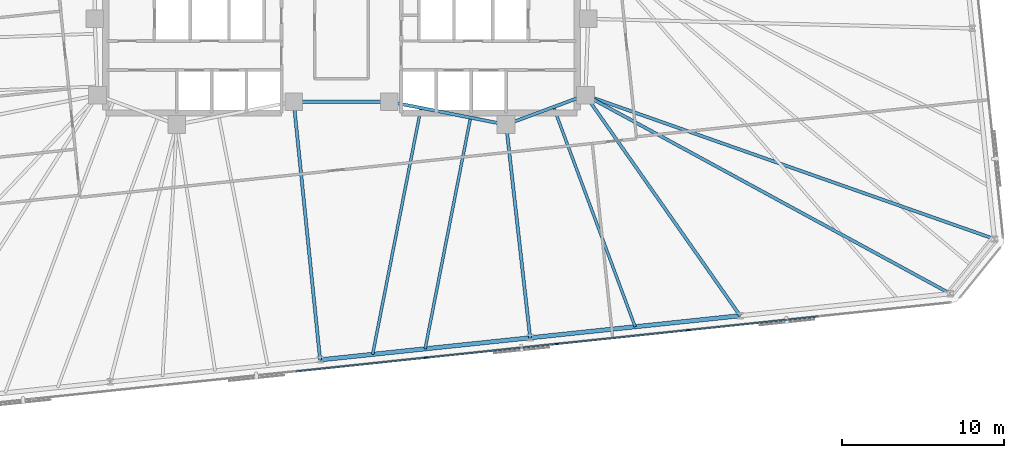
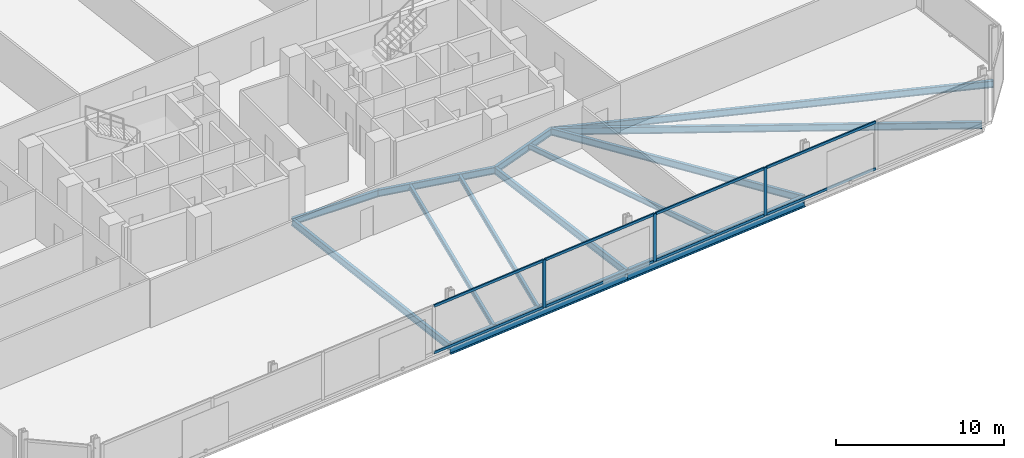
# One storey, part 7 of 18: 13 beams, 11 members, 1 element without a shape of its own.
"""IFC4 building model written with IfcOpenShell, lengths in metres."""

from ifc_helpers import new_model, si_unit, direction, frame, origin, origin_2d, place, context, subcontext, project, spatial, rectangle, i_section, extrude, material, material_profile, profile_set, type_object, element, aggregate, save


model = new_model("IFC4")

# Units and contexts
model_context = context("Model", 3, precision=1e-05, world=origin(), true_north=direction((0.0, 1.0)))
body_context = subcontext(model_context, "Body", "Model", "MODEL_VIEW")
ifc_project = project(units=[si_unit("LENGTHUNIT", "METRE"), si_unit("AREAUNIT", "SQUARE_METRE"), si_unit("VOLUMEUNIT", "CUBIC_METRE"), si_unit("PLANEANGLEUNIT", "RADIAN"), si_unit("MASSUNIT", "GRAM", prefix="KILO")], contexts=[model_context])

# Site, building, storey
site_placement = place(None, origin())
site = spatial("IfcSite", under=ifc_project, at=site_placement, CompositionType="ELEMENT")
building_placement = place(site_placement, origin())
building = spatial("IfcBuilding", under=site, at=building_placement, Name="Menara Jurai Vektor", CompositionType="ELEMENT")
storey_placement = place(building_placement, frame((0.0, 0.0, 128.10009765625)))
storey = spatial("IfcBuildingStorey", under=building, at=storey_placement, Name="L32", CompositionType="ELEMENT", Elevation=128.10009765625)

# Curtain wall, members
ifc_material_1 = material(Name="Anodised Pale Aluminium & Low-E Double Glazing", Category="aluminium")
curtain_wall_type = type_object("IfcCurtainWallType", Name="CW-BLK2", PredefinedType="NOTDEFINED", material=ifc_material_1)
curtain_wall_placement = place(storey_placement, origin())
curtain_wall = element("IfcCurtainWall", 1, at=curtain_wall_placement, inside=storey, type_object=curtain_wall_type, Name="Unitised Curtain Wall L32 F01", PredefinedType="NOTDEFINED")
ifc_material_2 = material(Name="Anodised Pale Aluminium Mullion", Category="aluminium")
ifc_material_profile_1 = material_profile(ifc_material_2, rectangle(XDim=0.090087890625, YDim=0.219970703125, at=origin_2d()), Name="ALU MUL 90x220")
ifc_profile_set_1 = profile_set([ifc_material_profile_1], Name="Anodised Pale Aluminium Mullion")
member_type_1 = type_object("IfcMemberType", Name="CW-BLK2-MUL", PredefinedType="MULLION", material=ifc_profile_set_1)
member_1_placement = place(storey_placement, frame((5.230224609375, -20.72265625, 0.0), z_axis=(0.0, 0.0, 1.0), x_axis=(-0.104528634935, 0.994521877325, 0.0)))
member_1 = element("IfcMember", 2, at=member_1_placement, type_object=member_type_1, Name="CW-02 mullion 5", PredefinedType="MULLION", context=body_context, shape_type="SweptSolid", body=[
    extrude(rectangle(XDim=0.090087890625, YDim=0.219970703125, at=origin_2d()), origin(), (0.0, 0.0, 1.0), 3.474853515625),
])
member_2_placement = place(storey_placement, frame((13.328125, -19.87158203125, 0.0), z_axis=(0.0, 0.0, 1.0), x_axis=(-0.104528634935, 0.994521877325, 0.0)))
member_2 = element("IfcMember", 3, at=member_2_placement, type_object=member_type_1, Name="CW-02 mullion 6", PredefinedType="MULLION", context=body_context, shape_type="SweptSolid", body=[
    extrude(rectangle(XDim=0.090087890625, YDim=0.219970703125, at=origin_2d()), origin(), (0.0, 0.0, 1.0), 3.474853515625),
])
member_3_placement = place(storey_placement, frame((21.426025390625, -19.020263671875, 0.0), z_axis=(0.0, 0.0, 1.0), x_axis=(-0.104528634935, 0.994521877325, 0.0)))
member_3 = element("IfcMember", 4, at=member_3_placement, type_object=member_type_1, Name="CW-02 mullion 7", PredefinedType="MULLION", context=body_context, shape_type="SweptSolid", body=[
    extrude(rectangle(XDim=0.090087890625, YDim=0.219970703125, at=origin_2d()), origin(), (0.0, 0.0, 1.0), 3.474853515625),
])
ifc_material_3 = material(Name="Anodised Pale Aluminium Transom", Category="aluminium")
ifc_material_profile_2 = material_profile(ifc_material_3, rectangle(XDim=0.090087890625, YDim=0.18505859375, at=origin_2d()), Name="ALU TRN 90x185")
ifc_profile_set_2 = profile_set([ifc_material_profile_2], Name="Anodised Pale Aluminium Transom")
member_type_2 = type_object("IfcMemberType", Name="CW-BLK2-TRN", PredefinedType="USERDEFINED", material=ifc_profile_set_2)
member_4_placement = place(storey_placement, frame((-2.82275390625, -21.569091796875, 0.044921875), z_axis=(0.994520726373, 0.10453958492, 0.0), x_axis=(-0.10453958492, 0.994520726373, 0.0)))
member_4 = element("IfcMember", 5, at=member_4_placement, type_object=member_type_2, Name="CW-02 transom 4.1", ObjectType="TRANSOM", PredefinedType="USERDEFINED", context=body_context, shape_type="SweptSolid", body=[
    extrude(rectangle(XDim=0.090087890625, YDim=0.18505859375, at=origin_2d()), origin(), (0.0, 0.0, 1.0), 8.052490234375),
])
member_5_placement = place(storey_placement, frame((-2.82275390625, -21.569091796875, 3.429931640625), z_axis=(0.994520726373, 0.10453958492, 0.0), x_axis=(-0.10453958492, 0.994520726373, 0.0)))
member_5 = element("IfcMember", 6, at=member_5_placement, type_object=member_type_2, Name="CW-02 transom 4.2", ObjectType="TRANSOM", PredefinedType="USERDEFINED", context=body_context, shape_type="SweptSolid", body=[
    extrude(rectangle(XDim=0.090087890625, YDim=0.18505859375, at=origin_2d()), origin(), (0.0, 0.0, 1.0), 8.052490234375),
])
member_6_placement = place(storey_placement, frame((5.275146484375, -20.718017578125, 0.044921875), z_axis=(0.994520726373, 0.10453958492, 0.0), x_axis=(-0.10453958492, 0.994520726373, 0.0)))
member_6 = element("IfcMember", 7, at=member_6_placement, type_object=member_type_2, Name="CW-02 transom 5.1", ObjectType="TRANSOM", PredefinedType="USERDEFINED", context=body_context, shape_type="SweptSolid", body=[
    extrude(rectangle(XDim=0.090087890625, YDim=0.18505859375, at=origin_2d()), origin(), (0.0, 0.0, 1.0), 8.052490234375),
])
member_7_placement = place(storey_placement, frame((5.275146484375, -20.718017578125, 3.429931640625), z_axis=(0.994520726373, 0.10453958492, 0.0), x_axis=(-0.10453958492, 0.994520726373, 0.0)))
member_7 = element("IfcMember", 8, at=member_7_placement, type_object=member_type_2, Name="CW-02 transom 5.2", ObjectType="TRANSOM", PredefinedType="USERDEFINED", context=body_context, shape_type="SweptSolid", body=[
    extrude(rectangle(XDim=0.090087890625, YDim=0.18505859375, at=origin_2d()), origin(), (0.0, 0.0, 1.0), 8.052490234375),
])
member_8_placement = place(storey_placement, frame((13.373046875, -19.86669921875, 0.044921875), z_axis=(0.99452387809, 0.104509597213, 0.0), x_axis=(-0.104509597213, 0.99452387809, 0.0)))
member_8 = element("IfcMember", 9, at=member_8_placement, type_object=member_type_2, Name="CW-02 transom 6.1", ObjectType="TRANSOM", PredefinedType="USERDEFINED", context=body_context, shape_type="SweptSolid", body=[
    extrude(rectangle(XDim=0.090087890625, YDim=0.18505859375, at=origin_2d()), origin(), (0.0, 0.0, 1.0), 8.052490234375),
])
member_9_placement = place(storey_placement, frame((13.373046875, -19.86669921875, 3.429931640625), z_axis=(0.99452387809, 0.104509597213, 0.0), x_axis=(-0.104509597213, 0.99452387809, 0.0)))
member_9 = element("IfcMember", 10, at=member_9_placement, type_object=member_type_2, Name="CW-02 transom 6.2", ObjectType="TRANSOM", PredefinedType="USERDEFINED", context=body_context, shape_type="SweptSolid", body=[
    extrude(rectangle(XDim=0.090087890625, YDim=0.18505859375, at=origin_2d()), origin(), (0.0, 0.0, 1.0), 8.052490234375),
])
member_10_placement = place(storey_placement, frame((21.470947265625, -19.015625, 0.044921875), z_axis=(0.994520726373, 0.10453958492, 0.0), x_axis=(-0.10453958492, 0.994520726373, 0.0)))
member_10 = element("IfcMember", 11, at=member_10_placement, type_object=member_type_2, Name="CW-02 transom 7.1", ObjectType="TRANSOM", PredefinedType="USERDEFINED", context=body_context, shape_type="SweptSolid", body=[
    extrude(rectangle(XDim=0.090087890625, YDim=0.18505859375, at=origin_2d()), origin(), (0.0, 0.0, 1.0), 8.052490234375),
])
member_11_placement = place(storey_placement, frame((21.470947265625, -19.015625, 3.429931640625), z_axis=(0.994520726373, 0.10453958492, 0.0), x_axis=(-0.10453958492, 0.994520726373, 0.0)))
member_11 = element("IfcMember", 12, at=member_11_placement, type_object=member_type_2, Name="CW-02 transom 7.2", ObjectType="TRANSOM", PredefinedType="USERDEFINED", context=body_context, shape_type="SweptSolid", body=[
    extrude(rectangle(XDim=0.090087890625, YDim=0.18505859375, at=origin_2d()), origin(), (0.0, 0.0, 1.0), 8.052490234375),
])
aggregate(curtain_wall, [member_1, member_2, member_3, member_4, member_5, member_6, member_7, member_8, member_9, member_10, member_11])

# Beams
ifc_material_4 = material(Name="Steel S355", Category="steel")
ifc_material_profile_3 = material_profile(ifc_material_4, i_section(OverallWidth=0.199951171875, OverallDepth=0.5, WebThickness=0.011962890625, FlangeThickness=0.02001953125, at=origin_2d()), Name="PG 500x200x96")
ifc_profile_set_3 = profile_set([ifc_material_profile_3], Name="Steel S355")
beam_type_1 = type_object("IfcBeamType", Name="STR-BM-500", PredefinedType="BEAM", material=ifc_profile_set_3)
beam_1_placement = place(storey_placement, frame((10.179931640625, -6.320068359375, -0.47509765625), z_axis=(0.937424400887, 0.348188874925, 0.0), x_axis=(-0.348188874925, 0.937424400887, 0.0)))
element("IfcBeam", 13, at=beam_1_placement, inside=storey, type_object=beam_type_1, Name="Core Ring Header Girder L32-CHE-S1", PredefinedType="BEAM", context=body_context, shape_type="SweptSolid", body=[
    extrude(i_section(OverallWidth=0.199951171875, OverallDepth=0.5, WebThickness=0.011962890625, FlangeThickness=0.02001953125, at=origin_2d()), origin(), (0.0, 0.0, 1.0), 5.227294921875),
])
beam_2_placement = place(storey_placement, frame((2.949951171875, -4.89990234375, -0.47509765625), z_axis=(0.981249044334, -0.192744164614, 0.0), x_axis=(0.192744164614, 0.981249044334, 0.0)))
element("IfcBeam", 14, at=beam_2_placement, inside=storey, type_object=beam_type_1, Name="Core Ring Header Girder L32-CHE-S2", PredefinedType="BEAM", context=body_context, shape_type="SweptSolid", body=[
    extrude(i_section(OverallWidth=0.199951171875, OverallDepth=0.5, WebThickness=0.011962890625, FlangeThickness=0.02001953125, at=origin_2d()), origin(), (0.0, 0.0, 1.0), 7.3681640625),
])
beam_3_placement = place(storey_placement, frame((-2.949951171875, -4.89990234375, -0.47509765625), z_axis=(1.0, 0.0, 0.0), x_axis=(0.0, 1.0, 0.0)))
element("IfcBeam", 15, at=beam_3_placement, inside=storey, type_object=beam_type_1, Name="Core Ring Header Girder L32-CC-1", PredefinedType="BEAM", context=body_context, shape_type="SweptSolid", body=[
    extrude(i_section(OverallWidth=0.199951171875, OverallDepth=0.5, WebThickness=0.011962890625, FlangeThickness=0.02001953125, at=origin_2d()), origin(), (0.0, 0.0, 1.0), 5.89990234375),
])
beam_4_placement = place(storey_placement, frame((-1.31689453125, -20.85791015625, -0.47509765625), z_axis=(-0.101802947506, 0.994804583765, 0.0), x_axis=(-0.994804583765, -0.101802947506, 0.0)))
element("IfcBeam", 16, at=beam_4_placement, inside=storey, type_object=beam_type_1, Name="Radial Floor Girder L32-S3", PredefinedType="BEAM", context=body_context, shape_type="SweptSolid", body=[
    extrude(i_section(OverallWidth=0.199951171875, OverallDepth=0.5, WebThickness=0.011962890625, FlangeThickness=0.02001953125, at=origin_2d()), origin(), (0.0, 0.0, 1.0), 16.041259765625),
])
beam_5_placement = place(storey_placement, frame((11.66259765625, -19.493408203125, -0.47509765625), z_axis=(-0.111844331087, 0.99372573963, 0.0), x_axis=(-0.99372573963, -0.111844331087, 0.0)))
element("IfcBeam", 17, at=beam_5_placement, inside=storey, type_object=beam_type_1, Name="Radial Floor Girder L32-S4", PredefinedType="BEAM", context=body_context, shape_type="SweptSolid", body=[
    extrude(i_section(OverallWidth=0.199951171875, OverallDepth=0.5, WebThickness=0.011962890625, FlangeThickness=0.02001953125, at=origin_2d()), origin(), (0.0, 0.0, 1.0), 13.256591796875),
])
beam_6_placement = place(storey_placement, frame((24.64208984375, -18.12939453125, -0.47509765625), z_axis=(-0.574326112611, 0.818626603754, 0.0), x_axis=(-0.818626603754, -0.574326112611, 0.0)))
element("IfcBeam", 18, at=beam_6_placement, inside=storey, type_object=beam_type_1, Name="Radial Floor Girder L32-S5", PredefinedType="BEAM", context=body_context, shape_type="SweptSolid", body=[
    extrude(i_section(OverallWidth=0.199951171875, OverallDepth=0.5, WebThickness=0.011962890625, FlangeThickness=0.02001953125, at=origin_2d()), origin(), (0.0, 0.0, 1.0), 16.649169921875),
])
beam_7_placement = place(storey_placement, frame((37.621826171875, -16.76513671875, -0.47509765625), z_axis=(-0.878392468416, 0.477940029115, 0.0), x_axis=(-0.477940029115, -0.878392468416, 0.0)))
element("IfcBeam", 19, at=beam_7_placement, inside=storey, type_object=beam_type_1, Name="Radial Floor Girder L32-S6", PredefinedType="BEAM", context=body_context, shape_type="SweptSolid", body=[
    extrude(i_section(OverallWidth=0.199951171875, OverallDepth=0.5, WebThickness=0.011962890625, FlangeThickness=0.02001953125, at=origin_2d()), origin(), (0.0, 0.0, 1.0), 25.66259765625),
])
beam_8_placement = place(storey_placement, frame((40.356201171875, -13.388671875, -0.47509765625), z_axis=(-0.943368219745, 0.331747497315, 0.0), x_axis=(-0.331747497315, -0.943368219745, 0.0)))
element("IfcBeam", 20, at=beam_8_placement, inside=storey, type_object=beam_type_1, Name="Radial Floor Girder L32-E1", PredefinedType="BEAM", context=body_context, shape_type="SweptSolid", body=[
    extrude(i_section(OverallWidth=0.199951171875, OverallDepth=0.5, WebThickness=0.011962890625, FlangeThickness=0.02001953125, at=origin_2d()), origin(), (0.0, 0.0, 1.0), 26.79345703125),
])
ifc_material_profile_4 = material_profile(ifc_material_4, i_section(OverallWidth=0.175048828125, OverallDepth=0.3798828125, WebThickness=0.010009765625, FlangeThickness=0.014892578125, at=origin_2d()), Name="PG 380x175x58")
ifc_profile_set_4 = profile_set([ifc_material_profile_4], Name="Steel S355")
beam_type_2 = type_object("IfcBeamType", Name="STR-JS-380", PredefinedType="JOIST", material=ifc_profile_set_4)
beam_9_placement = place(storey_placement, frame((1.927978515625, -20.5166015625, -0.4150390625), z_axis=(0.192720963177, 0.981253601447, 0.0), x_axis=(-0.981253601447, 0.192720963177, 0.0)))
element("IfcBeam", 21, at=beam_9_placement, inside=storey, type_object=beam_type_2, Name="Radial Secondary Floor Joist L32-JS06", PredefinedType="JOIST", context=body_context, shape_type="SweptSolid", body=[
    extrude(i_section(OverallWidth=0.175048828125, OverallDepth=0.3798828125, WebThickness=0.010009765625, FlangeThickness=0.014892578125, at=origin_2d()), origin(), (0.0, 0.0, 1.0), 15.52099609375),
])
beam_10_placement = place(storey_placement, frame((5.1728515625, -20.175537109375, -0.4150390625), z_axis=(0.192719646422, 0.98125386006, 0.0), x_axis=(-0.98125386006, 0.192719646422, 0.0)))
element("IfcBeam", 22, at=beam_10_placement, inside=storey, type_object=beam_type_2, Name="Radial Secondary Floor Joist L32-JS07", PredefinedType="JOIST", context=body_context, shape_type="SweptSolid", body=[
    extrude(i_section(OverallWidth=0.175048828125, OverallDepth=0.3798828125, WebThickness=0.010009765625, FlangeThickness=0.014892578125, at=origin_2d()), origin(), (0.0, 0.0, 1.0), 14.560791015625),
])
beam_11_placement = place(storey_placement, frame((18.15234375, -18.811279296875, -0.4150390625), z_axis=(-0.348188645432, 0.937424486128, 0.0), x_axis=(-0.937424486128, -0.348188645432, 0.0)))
element("IfcBeam", 23, at=beam_11_placement, inside=storey, type_object=beam_type_2, Name="Radial Secondary Floor Joist L32-JS08", PredefinedType="JOIST", context=body_context, shape_type="SweptSolid", body=[
    extrude(i_section(OverallWidth=0.175048828125, OverallDepth=0.3798828125, WebThickness=0.010009765625, FlangeThickness=0.014892578125, at=origin_2d()), origin(), (0.0, 0.0, 1.0), 14.485595703125),
])
ifc_material_5 = material(Name="Steel S460", Category="steel")
ifc_material_profile_5 = material_profile(ifc_material_5, i_section(OverallWidth=0.26806640625, OverallDepth=0.77001953125, WebThickness=0.01611328125, FlangeThickness=0.02490234375, FilletRadius=0.01708984375, at=origin_2d()), Name="UKB 762x267x197")
ifc_profile_set_5 = profile_set([ifc_material_profile_5], Name="Steel S460")
beam_type_3 = type_object("IfcBeamType", Name="STR-SP-762", PredefinedType="SPANDREL", material=ifc_profile_set_5)
for number, where, z_axis, x_axis, name in (
    (24, (-1.31689453125, -20.85791015625, -0.610107421875), (0.994519486762, 0.104551377088, 0.0), (-0.104551377088, 0.994519486762, 0.0), "Exoskeleton Spandrel Beam L32-03"),
    (25, (11.66259765625, -19.493408203125, -0.610107421875), (0.99452337626, 0.104514372567, 0.0), (-0.104514372567, 0.99452337626, 0.0), "Exoskeleton Spandrel Beam L32-04"),
):
    element("IfcBeam", number, at=place(storey_placement, frame(where, z_axis=z_axis, x_axis=x_axis)), inside=storey, type_object=beam_type_3, Name=name, PredefinedType="SPANDREL", context=body_context, shape_type="SweptSolid", body=[
        extrude(i_section(OverallWidth=0.26806640625, OverallDepth=0.77001953125, WebThickness=0.01611328125, FlangeThickness=0.02490234375, FilletRadius=0.01708984375, at=origin_2d()), origin(), (0.0, 0.0, 1.0), 13.051025390625),
    ])

save(model, "model.ifc")
